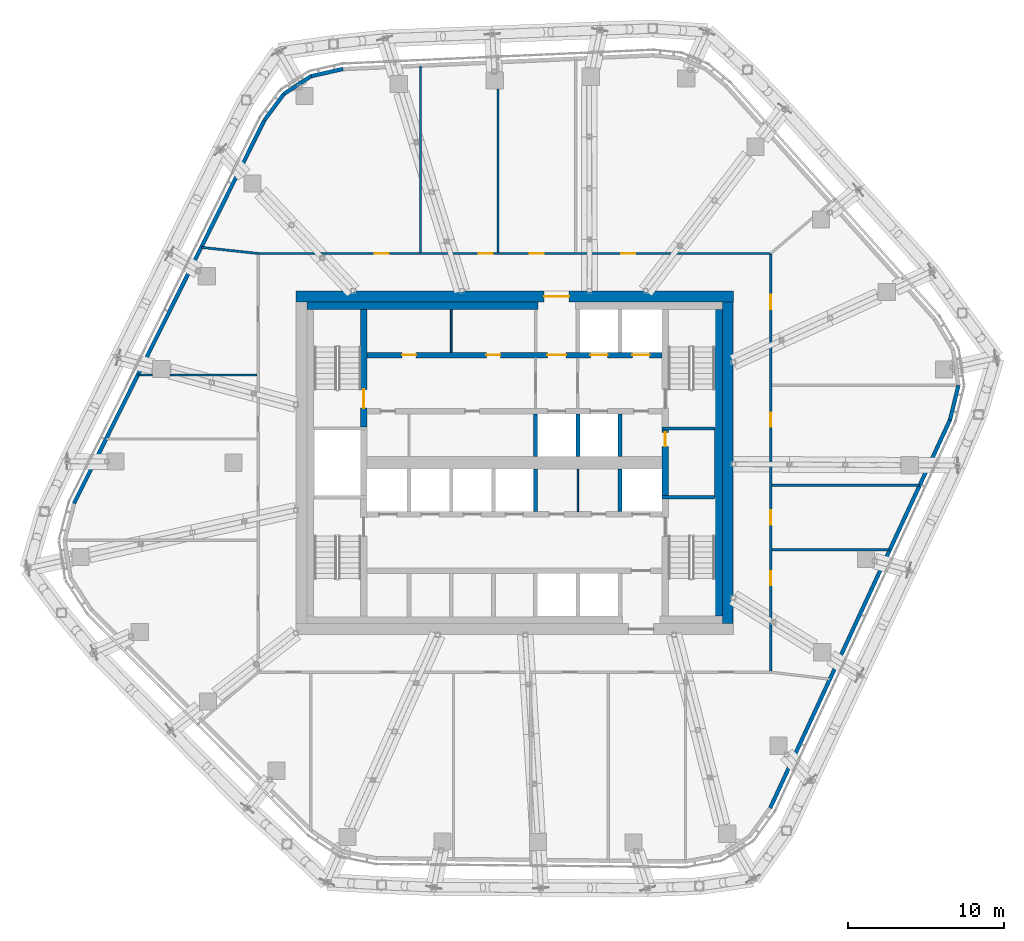
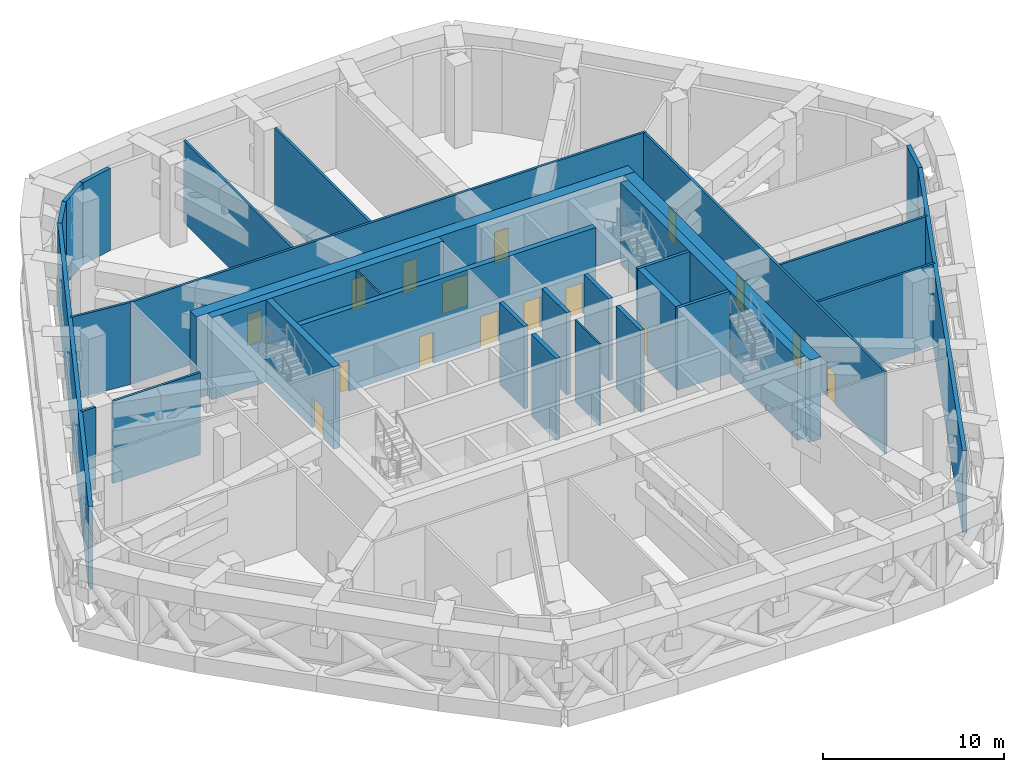
# One storey, part 17 of 31: 31 walls, 16 doors, 16 openings.
"""IFC4 building model written with IfcOpenShell, lengths in metres."""

import ifcopenshell
import ifcopenshell.guid

model = None  # the IFC model being written
_history = None  # IfcOwnerHistory: only IFC2X3 demands one
_inside = {}  # id of a spatial element -> (the spatial element, [elements in it])
_under = {}  # id of a project, library or spatial element -> (it, [spatial elements below it])
_declared = {}  # id of a project -> (the project, [libraries it declares])
_typed = {}  # id of a type object -> (the type object, [elements of that type])
_made_of = {}  # id of a material, layer set ... -> (it, [elements and type objects made of it])


def new_model(schema):
    """Start an empty IFC model of exactly this schema.

    Asked for "IFC4X3", IfcOpenShell would pick the latest addendum, in which some entities
    have other attributes; the version numbers below select the first issue.
    IFC2X3 requires an IfcOwnerHistory on every rooted entity: one is made here for all.
    """
    global model, _history
    if schema == "IFC4X3":
        model = ifcopenshell.file(schema_version=(4, 3, 0, 0))
    else:
        model = ifcopenshell.file(schema=schema)
    _inside.clear()
    _under.clear()
    _declared.clear()
    _typed.clear()
    _made_of.clear()
    _history = None
    if model.schema == "IFC2X3":
        org = make("IfcOrganization", Name="unknown")
        user = make(
            "IfcPersonAndOrganization",
            ThePerson=make("IfcPerson", FamilyName="unknown"),
            TheOrganization=org,
        )
        app = make(
            "IfcApplication",
            ApplicationDeveloper=org,
            Version="unknown",
            ApplicationFullName="unknown",
            ApplicationIdentifier="unknown",
        )
        _history = make(
            "IfcOwnerHistory",
            OwningUser=user,
            OwningApplication=app,
            ChangeAction="ADDED",
            CreationDate=0,
        )
    return model


def make(cls, **values):
    """One entity of the class cls with the attributes given. An attribute that is None is left unset."""
    return model.create_entity(
        cls, **{name: value for name, value in values.items() if value is not None}
    )


def rooted(cls, **values):
    """An entity with a GlobalId (a new one), such as an element, a storey or a relation."""
    return make(cls, GlobalId=ifcopenshell.guid.new(), OwnerHistory=_history, **values)


def si_unit(unit_type, name, prefix=None):
    """IfcSIUnit, for example si_unit("LENGTHUNIT", "METRE", prefix="MILLI")."""
    return make("IfcSIUnit", UnitType=unit_type, Prefix=prefix, Name=name)


def assignment(units):
    """IfcUnitAssignment: the units of a project."""
    return None if units is None else make("IfcUnitAssignment", Units=units)


def point(xyz):
    """IfcCartesianPoint."""
    return None if xyz is None else make("IfcCartesianPoint", Coordinates=xyz)


def direction(xyz):
    """IfcDirection."""
    return None if xyz is None else make("IfcDirection", DirectionRatios=xyz)


def frame(location, z_axis=None, x_axis=None):
    """IfcAxis2Placement3D, a coordinate frame: its origin and axes. An axis left out is left unset."""
    return make(
        "IfcAxis2Placement3D",
        Location=point(location),
        Axis=direction(z_axis),
        RefDirection=direction(x_axis),
    )


def frame_2d(location, x_axis=None):
    """IfcAxis2Placement2D, a coordinate frame in the plane: its origin and x axis."""
    return make(
        "IfcAxis2Placement2D", Location=point(location), RefDirection=direction(x_axis)
    )


def origin():
    """The frame at (0, 0, 0) with its axes left unset."""
    return frame((0.0, 0.0, 0.0))


def place(relative_to, where):
    """IfcLocalPlacement: puts the frame where relative to a parent placement (None: the world)."""
    return make(
        "IfcLocalPlacement", PlacementRelTo=relative_to, RelativePlacement=where
    )


def context(
    kind, dimensions, precision=None, world=None, true_north=None, identifier=None
):
    """IfcGeometricRepresentationContext, for example the 3D "Model" context."""
    return make(
        "IfcGeometricRepresentationContext",
        ContextIdentifier=identifier,
        ContextType=kind,
        CoordinateSpaceDimension=dimensions,
        Precision=precision,
        WorldCoordinateSystem=world,
        TrueNorth=true_north,
    )


def subcontext(parent, identifier, kind, view, scale=None):
    """IfcGeometricRepresentationSubContext, for example "Body" below "Model"."""
    return make(
        "IfcGeometricRepresentationSubContext",
        ContextIdentifier=identifier,
        ContextType=kind,
        ParentContext=parent,
        TargetScale=scale,
        TargetView=view,
    )


def project(units=None, contexts=None):
    """IfcProject with its units and contexts."""
    return rooted(
        "IfcProject",
        Name="project",
        RepresentationContexts=contexts,
        UnitsInContext=assignment(units),
    )


def spatial(cls, under=None, at=None, **own):
    """A site, building, storey or space (cls), placed at a placement, below another one or the project."""
    s = rooted(cls, ObjectPlacement=at, **own)
    if under is not None:
        _under.setdefault(under.id(), (under, []))[1].append(s)
    return s


def profile(cls, at=None, kind="AREA", **sizes):
    """A parametric profile (cls). Its sizes go by their IFC names, for example OverallWidth=200.0."""
    return make(cls, ProfileType=kind, Position=at, **sizes)


def rectangle(**sizes):
    """IfcRectangleProfileDef."""
    return profile("IfcRectangleProfileDef", **sizes)


def extrude(swept, where, along, depth):
    """IfcExtrudedAreaSolid: the profile swept, set in the frame where, extruded along a direction by depth."""
    return make(
        "IfcExtrudedAreaSolid",
        SweptArea=swept,
        Position=where,
        ExtrudedDirection=direction(along),
        Depth=depth,
    )


def shape(context_of_items, identifier, shape_type, items):
    """IfcShapeRepresentation: the items that make up one representation, for example the "Body"."""
    return make(
        "IfcShapeRepresentation",
        ContextOfItems=context_of_items,
        RepresentationIdentifier=identifier,
        RepresentationType=shape_type,
        Items=items,
    )


def material(Name=None, Category=None):
    """IfcMaterial."""
    return make("IfcMaterial", Name=Name, Category=Category)


def layer(
    of_material, thickness, ventilated=None, Name=None, Category=None, Priority=None
):
    """IfcMaterialLayer: one layer of a wall or slab, of a material (None: an air gap)."""
    return make(
        "IfcMaterialLayer",
        Material=of_material,
        LayerThickness=thickness,
        IsVentilated=ventilated,
        Name=Name,
        Category=Category,
        Priority=Priority,
    )


def layer_set(layers, Name=None):
    """IfcMaterialLayerSet."""
    return make("IfcMaterialLayerSet", MaterialLayers=layers, LayerSetName=Name)


def made_of(thing, what):
    """Note that an element or type object is made of a material, layer set ...; save() writes the relation."""
    if what is not None:
        _made_of.setdefault(what.id(), (what, []))[1].append(thing)
    return thing


def type_object(cls, material=None, **own):
    """A type object (cls), such as IfcWallType, which elements share."""
    return made_of(rooted(cls, **own), material)


def element(
    cls,
    number,
    at=None,
    inside=None,
    cuts=None,
    type_object=None,
    material=None,
    context=None,
    identifier="Body",
    shape_type=None,
    held_by="IfcProductDefinitionShape",
    body=None,
    shapes=None,
    **own,
):
    """One element of the class cls, such as IfcWall. Its Tag is "e" and its number.

    at: its placement. inside: the storey or other place that contains it. cuts: it is an
    opening in that element (IfcRelVoidsElement). A single representation is given by context,
    identifier, shape_type and body (its items); several are given by shapes. held_by: the class
    of the entity that holds the representations. save() writes the other relations.
    """
    e = rooted(cls, Tag="e%d" % number, ObjectPlacement=at, **own)
    if body is not None:
        shapes = [shape(context, identifier, shape_type, body)]
    if shapes is not None:
        e.Representation = make(held_by, Representations=shapes)
    if inside is not None:
        _inside.setdefault(inside.id(), (inside, []))[1].append(e)
    if cuts is not None:
        rooted(
            "IfcRelVoidsElement", RelatingBuildingElement=cuts, RelatedOpeningElement=e
        )
    if type_object is not None:
        _typed.setdefault(type_object.id(), (type_object, []))[1].append(e)
    return made_of(e, material)


def fill(opening, filler):
    """IfcRelFillsElement: the door or window that sits in an opening."""
    return rooted(
        "IfcRelFillsElement",
        RelatingOpeningElement=opening,
        RelatedBuildingElement=filler,
    )


def aggregate(whole, parts):
    """IfcRelAggregates: a whole, such as a stair, and the parts it consists of."""
    return rooted("IfcRelAggregates", RelatingObject=whole, RelatedObjects=parts)


def save(model, path):
    """Write the relations noted so far, then the file.

    IfcRelAggregates (storeys below a building ...), IfcRelContainedInSpatialStructure (elements
    in a storey), IfcRelDefinesByType, IfcRelAssociatesMaterial and IfcRelDeclares: one each for
    every whole, place, type object, material and project.
    """
    for whole, parts in _under.values():
        aggregate(whole, parts)
    for where, things in _inside.values():
        rooted(
            "IfcRelContainedInSpatialStructure",
            RelatedElements=things,
            RelatingStructure=where,
        )
    for kind, things in _typed.values():
        rooted("IfcRelDefinesByType", RelatedObjects=things, RelatingType=kind)
    for what, things in _made_of.values():
        rooted("IfcRelAssociatesMaterial", RelatedObjects=things, RelatingMaterial=what)
    for by, libraries in _declared.values():
        rooted("IfcRelDeclares", RelatingContext=by, RelatedDefinitions=libraries)
    model.write(path)


model = new_model("IFC4")

# Units and contexts
model_context = context("Model", 3, precision=1e-05, world=origin(), true_north=direction((0.0, 1.0)))
body_context = subcontext(model_context, "Body", "Model", "MODEL_VIEW")
ifc_project = project(units=[si_unit("LENGTHUNIT", "METRE"), si_unit("AREAUNIT", "SQUARE_METRE"), si_unit("VOLUMEUNIT", "CUBIC_METRE"), si_unit("PLANEANGLEUNIT", "RADIAN"), si_unit("MASSUNIT", "GRAM", prefix="KILO")], contexts=[model_context])

# Site, building, storey
site_placement = place(None, origin())
site = spatial("IfcSite", under=ifc_project, at=site_placement, CompositionType="ELEMENT")
building_placement = place(site_placement, origin())
building = spatial("IfcBuilding", under=site, at=building_placement, Name="Dongbaek Canopy Tower", CompositionType="ELEMENT")
storey_placement = place(building_placement, frame((0.0, 0.0, 283.199951171875)))
storey = spatial("IfcBuildingStorey", under=building, at=storey_placement, Name="L60", CompositionType="ELEMENT", Elevation=283.199951171875)

# Wall, openings, doors
ifc_material_1 = material(Name="Concrete C60/75", Category="concrete")
ifc_layer_1 = layer(ifc_material_1, 0.35009765625)
ifc_layer_set_1 = layer_set([ifc_layer_1], Name="Core lobby wall 350 Concrete C60/75")
wall_type_1 = type_object("IfcWallType", Name="Core lobby wall 350 Concrete C60/75", PredefinedType="SHEAR", material=ifc_layer_set_1)
wall_1_placement = place(storey_placement, frame((-9.449951171875, 6.89990234375, 0.0), z_axis=(0.0, 0.0, 1.0), x_axis=(1.0, 0.0, 0.0)))
wall_1 = element("IfcWall", 1, at=wall_1_placement, inside=storey, type_object=wall_type_1, Name="Core wall", PredefinedType="SHEAR", context=body_context, shape_type="SweptSolid", body=[
    extrude(rectangle(XDim=18.89990234375, YDim=0.35009765625, at=frame_2d((9.449951171875, 0.0))), origin(), (0.0, 0.0, 1.0), 5.550048828125),
])
opening_1_placement = place(wall_1_placement, frame((11.550048828125, 0.0, 0.0)))
opening_1 = element("IfcOpeningElement", 2, at=opening_1_placement, cuts=wall_1, Name="Opening L60-D021", PredefinedType="OPENING", context=body_context, shape_type="SweptSolid", body=[
    extrude(rectangle(XDim=1.199951171875, YDim=2.10009765625, at=frame_2d((0.60009765625, 1.050048828125))), frame((0.0, 0.18505859375, 0.0), z_axis=(0.0, -1.0, 0.0), x_axis=(1.0, 0.0, 0.0)), (0.0, 0.0, 1.0), 0.3701171875),
])
opening_2_placement = place(wall_1_placement, frame((14.300048828125, 0.0, 0.0)))
opening_2 = element("IfcOpeningElement", 3, at=opening_2_placement, cuts=wall_1, Name="Opening L60-D022", PredefinedType="OPENING", context=body_context, shape_type="SweptSolid", body=[
    extrude(rectangle(XDim=1.10009765625, YDim=2.10009765625, at=frame_2d((0.550048828125, 1.050048828125))), frame((0.0, 0.18505859375, 0.0), z_axis=(0.0, -1.0, 0.0), x_axis=(1.0, 0.0, 0.0)), (0.0, 0.0, 1.0), 0.3701171875),
])
opening_3_placement = place(wall_1_placement, frame((17.0, 0.0, 0.0)))
opening_3 = element("IfcOpeningElement", 4, at=opening_3_placement, cuts=wall_1, Name="Opening L60-D023", PredefinedType="OPENING", context=body_context, shape_type="SweptSolid", body=[
    extrude(rectangle(XDim=1.10009765625, YDim=2.10009765625, at=frame_2d((0.550048828125, 1.050048828125))), frame((0.0, 0.18505859375, 0.0), z_axis=(0.0, -1.0, 0.0), x_axis=(1.0, 0.0, 0.0)), (0.0, 0.0, 1.0), 0.3701171875),
])
opening_4_placement = place(wall_1_placement, frame((2.25, 0.0, 0.0)))
opening_4 = element("IfcOpeningElement", 5, at=opening_4_placement, cuts=wall_1, Name="Opening L60-D034", PredefinedType="OPENING", context=body_context, shape_type="SweptSolid", body=[
    extrude(rectangle(XDim=0.89990234375, YDim=2.10009765625, at=frame_2d((0.449951171875, 1.050048828125))), frame((0.0, 0.18505859375, 0.0), z_axis=(0.0, -1.0, 0.0), x_axis=(1.0, 0.0, 0.0)), (0.0, 0.0, 1.0), 0.3701171875),
])
opening_5_placement = place(wall_1_placement, frame((7.64990234375, 0.0, 0.0)))
opening_5 = element("IfcOpeningElement", 6, at=opening_5_placement, cuts=wall_1, Name="Opening L60-D035", PredefinedType="OPENING", context=body_context, shape_type="SweptSolid", body=[
    extrude(rectangle(XDim=0.89990234375, YDim=2.10009765625, at=frame_2d((0.449951171875, 1.050048828125))), frame((0.0, 0.18505859375, 0.0), z_axis=(0.0, -1.0, 0.0), x_axis=(1.0, 0.0, 0.0)), (0.0, 0.0, 1.0), 0.3701171875),
])
ifc_material_2 = material(Name="Steel", Category="steel")
door_type_1 = type_object("IfcDoorType", Name="Core room door 900 x 2100", OperationType="SINGLE_SWING_LEFT", PredefinedType="DOOR", material=ifc_material_2)
door_1_placement = place(opening_4_placement, origin())
door_1 = element("IfcDoor", 7, at=door_1_placement, inside=storey, type_object=door_type_1, Name="Door L60-D034", OperationType="SINGLE_SWING_RIGHT", OverallHeight=2.10009765625, OverallWidth=0.89990234375, PredefinedType="DOOR", context=body_context, shape_type="SweptSolid", body=[
    extrude(rectangle(XDim=0.89990234375, YDim=2.10009765625, at=frame_2d((0.449951171875, 1.050048828125))), frame((0.0, 0.02490234375, 0.0), z_axis=(0.0, -1.0, 0.0), x_axis=(1.0, 0.0, 0.0)), (0.0, 0.0, 1.0), 0.050048828125),
])
fill(opening_4, door_1)
door_2_placement = place(opening_5_placement, origin())
door_2 = element("IfcDoor", 8, at=door_2_placement, inside=storey, type_object=door_type_1, Name="Door L60-D035", OperationType="SINGLE_SWING_LEFT", OverallHeight=2.10009765625, OverallWidth=0.89990234375, PredefinedType="DOOR", context=body_context, shape_type="SweptSolid", body=[
    extrude(rectangle(XDim=0.89990234375, YDim=2.10009765625, at=frame_2d((0.449951171875, 1.050048828125))), frame((0.0, 0.02490234375, 0.0), z_axis=(0.0, -1.0, 0.0), x_axis=(1.0, 0.0, 0.0)), (0.0, 0.0, 1.0), 0.050048828125),
])
fill(opening_5, door_2)
ifc_material_3 = material(Name="Steel", Category="steel")
door_type_2 = type_object("IfcDoorType", Name="Fire lobby door 1200 x 2100", OperationType="SINGLE_SWING_LEFT", PredefinedType="DOOR", material=ifc_material_3)
door_3_placement = place(opening_1_placement, origin())
door_3 = element("IfcDoor", 9, at=door_3_placement, inside=storey, type_object=door_type_2, Name="Door L60-D021", OperationType="SINGLE_SWING_LEFT", OverallHeight=2.10009765625, OverallWidth=1.199951171875, PredefinedType="DOOR", context=body_context, shape_type="SweptSolid", body=[
    extrude(rectangle(XDim=1.199951171875, YDim=2.10009765625, at=frame_2d((0.60009765625, 1.050048828125))), frame((0.0, 0.02490234375, 0.0), z_axis=(0.0, -1.0, 0.0), x_axis=(1.0, 0.0, 0.0)), (0.0, 0.0, 1.0), 0.050048828125),
])
fill(opening_1, door_3)
ifc_material_4 = material(Name="Stainless steel", Category="steel")
door_type_3 = type_object("IfcDoorType", Name="Lift landing door 1100 x 2100", OperationType="DOUBLE_DOOR_SLIDING", PredefinedType="DOOR", material=ifc_material_4)
door_4_placement = place(opening_2_placement, origin())
door_4 = element("IfcDoor", 10, at=door_4_placement, inside=storey, type_object=door_type_3, Name="Landing door FF1", OperationType="DOUBLE_DOOR_SLIDING", OverallHeight=2.10009765625, OverallWidth=1.10009765625, PredefinedType="DOOR", context=body_context, shape_type="SweptSolid", body=[
    extrude(rectangle(XDim=1.10009765625, YDim=2.10009765625, at=frame_2d((0.550048828125, 1.050048828125))), frame((0.0, 0.02490234375, 0.0), z_axis=(0.0, -1.0, 0.0), x_axis=(1.0, 0.0, 0.0)), (0.0, 0.0, 1.0), 0.050048828125),
])
fill(opening_2, door_4)
door_5_placement = place(opening_3_placement, origin())
door_5 = element("IfcDoor", 11, at=door_5_placement, inside=storey, type_object=door_type_3, Name="Landing door FF2", OperationType="DOUBLE_DOOR_SLIDING", OverallHeight=2.10009765625, OverallWidth=1.10009765625, PredefinedType="DOOR", context=body_context, shape_type="SweptSolid", body=[
    extrude(rectangle(XDim=1.10009765625, YDim=2.10009765625, at=frame_2d((0.550048828125, 1.050048828125))), frame((0.0, 0.02490234375, 0.0), z_axis=(0.0, -1.0, 0.0), x_axis=(1.0, 0.0, 0.0)), (0.0, 0.0, 1.0), 0.050048828125),
])
fill(opening_3, door_5)

# Wall, opening, door
ifc_material_5 = material(Name="Concrete C70/85", Category="concrete")
ifc_layer_2 = layer(ifc_material_5, 0.699951171875)
ifc_layer_set_2 = layer_set([ifc_layer_2], Name="Core outer wall 700 Concrete C70/85")
wall_type_2 = type_object("IfcWallType", Name="Core outer wall 700 Concrete C70/85", PredefinedType="SHEAR", material=ifc_layer_set_2)
wall_2_placement = place(storey_placement, frame((-14.0, 10.64990234375, 0.0), z_axis=(0.0, 0.0, 1.0), x_axis=(1.0, 0.0, 0.0)))
wall_2 = element("IfcWall", 12, at=wall_2_placement, inside=storey, type_object=wall_type_2, Name="Core wall", PredefinedType="SHEAR", context=body_context, shape_type="SweptSolid", body=[
    extrude(rectangle(XDim=28.0, YDim=0.699951171875, at=frame_2d((14.0, 0.0))), origin(), (0.0, 0.0, 1.0), 5.550048828125),
])
opening_6_placement = place(wall_2_placement, frame((15.89990234375, 0.0, 0.0)))
opening_6 = element("IfcOpeningElement", 13, at=opening_6_placement, cuts=wall_2, Name="Opening L60-D020", PredefinedType="OPENING", context=body_context, shape_type="SweptSolid", body=[
    extrude(rectangle(XDim=1.60009765625, YDim=2.10009765625, at=frame_2d((0.800048828125, 1.050048828125))), frame((0.0, 0.35986328125, 0.0), z_axis=(0.0, -1.0, 0.0), x_axis=(1.0, 0.0, 0.0)), (0.0, 0.0, 1.0), 0.719970703125),
])
ifc_material_6 = material(Name="Steel", Category="steel")
door_type_4 = type_object("IfcDoorType", Name="Core exit door 1600 x 2100", OperationType="DOUBLE_DOOR_SINGLE_SWING", PredefinedType="DOOR", material=ifc_material_6)
door_6_placement = place(opening_6_placement, origin())
door_6 = element("IfcDoor", 14, at=door_6_placement, inside=storey, type_object=door_type_4, Name="Core exit door", OperationType="DOUBLE_DOOR_SINGLE_SWING", OverallHeight=2.10009765625, OverallWidth=1.60009765625, PredefinedType="DOOR", context=body_context, shape_type="SweptSolid", body=[
    extrude(rectangle(XDim=1.60009765625, YDim=2.10009765625, at=frame_2d((0.800048828125, 1.050048828125))), frame((0.0, 0.02490234375, 0.0), z_axis=(0.0, -1.0, 0.0), x_axis=(1.0, 0.0, 0.0)), (0.0, 0.0, 1.0), 0.050048828125),
])
fill(opening_6, door_6)

# Walls
wall_3_placement = place(storey_placement, frame((13.64990234375, 10.300048828125, 0.0), z_axis=(0.0, 0.0, 1.0), x_axis=(0.0, -1.0, 0.0)))
element("IfcWall", 15, at=wall_3_placement, inside=storey, type_object=wall_type_2, Name="Core wall", PredefinedType="SHEAR", context=body_context, shape_type="SweptSolid", body=[
    extrude(rectangle(XDim=20.60009765625, YDim=0.699951171875, at=frame_2d((10.300048828125, 0.0))), origin(), (0.0, 0.0, 1.0), 5.550048828125),
])
ifc_material_7 = material(Name="Concrete C60/75", Category="concrete")
ifc_layer_3 = layer(ifc_material_7, 0.5)
ifc_layer_set_3 = layer_set([ifc_layer_3], Name="Core wall lining 500 Concrete C60/75")
wall_type_3 = type_object("IfcWallType", Name="Core wall lining 500 Concrete C60/75", PredefinedType="SHEAR", material=ifc_layer_set_3)
wall_4_placement = place(storey_placement, frame((-13.300048828125, 10.050048828125, 0.0), z_axis=(0.0, 0.0, 1.0), x_axis=(1.0, 0.0, 0.0)))
element("IfcWall", 16, at=wall_4_placement, inside=storey, type_object=wall_type_3, Name="Core wall lining", PredefinedType="SHEAR", context=body_context, shape_type="SweptSolid", body=[
    extrude(rectangle(XDim=14.800048828125, YDim=0.5, at=frame_2d((7.39990234375, 0.0))), origin(), (0.0, 0.0, 1.0), 5.550048828125),
])
wall_5_placement = place(storey_placement, frame((13.050048828125, 9.800048828125, 0.0), z_axis=(0.0, 0.0, 1.0), x_axis=(0.0, -1.0, 0.0)))
element("IfcWall", 17, at=wall_5_placement, inside=storey, type_object=wall_type_3, Name="Core wall lining", PredefinedType="SHEAR", context=body_context, shape_type="SweptSolid", body=[
    extrude(rectangle(XDim=19.60009765625, YDim=0.5, at=frame_2d((9.800048828125, 0.0))), origin(), (0.0, 0.0, 1.0), 5.550048828125),
])
ifc_material_8 = material(Name="Gypsum board partition, steel stud, 2 x 15 mm fire board", Category="steel")
ifc_layer_4 = layer(ifc_material_8, 0.14990234375)
ifc_layer_set_4 = layer_set([ifc_layer_4], Name="Fire-rated partition 150 gypsum board")
wall_type_4 = type_object("IfcWallType", Name="Fire-rated partition 150 gypsum board", PredefinedType="PARTITIONING", material=ifc_layer_set_4)
wall_6_placement = place(storey_placement, frame((16.47509765625, -5.572998046875, 0.0), z_axis=(0.0, 0.0, 1.0), x_axis=(1.0, 0.0, 0.0)))
element("IfcWall", 18, at=wall_6_placement, inside=storey, type_object=wall_type_4, Name="Corridor partition", PredefinedType="PARTITIONING", context=body_context, shape_type="SweptSolid", body=[
    extrude(rectangle(XDim=7.526611328125, YDim=0.14990234375, at=frame_2d((3.76318359375, 0.0))), origin(), (0.0, 0.0, 1.0), 5.550048828125),
])
wall_7_placement = place(storey_placement, frame((16.47509765625, -1.427978515625, 0.0), z_axis=(0.0, 0.0, 1.0), x_axis=(1.0, 0.0, 0.0)))
element("IfcWall", 19, at=wall_7_placement, inside=storey, type_object=wall_type_4, Name="Corridor partition", PredefinedType="PARTITIONING", context=body_context, shape_type="SweptSolid", body=[
    extrude(rectangle(XDim=9.44677734375, YDim=0.14990234375, at=frame_2d((4.723388671875, 0.0))), origin(), (0.0, 0.0, 1.0), 5.550048828125),
])
wall_8_placement = place(storey_placement, frame((-24.099365234375, 5.617919921875, 0.0), z_axis=(0.0, 0.0, 1.0), x_axis=(1.0, 0.0, 0.0)))
element("IfcWall", 20, at=wall_8_placement, inside=storey, type_object=wall_type_4, Name="Corridor partition", PredefinedType="PARTITIONING", context=body_context, shape_type="SweptSolid", body=[
    extrude(rectangle(XDim=0.928466796875, YDim=0.14990234375, at=frame_2d((0.46435546875, 0.0))), origin(), (0.0, 0.0, 1.0), 5.550048828125),
])
wall_9_placement = place(storey_placement, frame((-22.071044921875, 5.617919921875, 0.0), z_axis=(0.0, 0.0, 1.0), x_axis=(1.0, 0.0, 0.0)))
element("IfcWall", 21, at=wall_9_placement, inside=storey, type_object=wall_type_4, Name="Corridor partition", PredefinedType="PARTITIONING", context=body_context, shape_type="SweptSolid", body=[
    extrude(rectangle(XDim=5.595947265625, YDim=0.14990234375, at=frame_2d((2.7978515625, 0.0))), origin(), (0.0, 0.0, 1.0), 5.550048828125),
])

# Wall, openings, doors
wall_10_placement = place(storey_placement, frame((-16.47509765625, 13.39990234375, 0.0), z_axis=(0.0, 0.0, 1.0), x_axis=(1.0, 0.0, 0.0)))
wall_10 = element("IfcWall", 22, at=wall_10_placement, inside=storey, type_object=wall_type_4, Name="Corridor partition", PredefinedType="PARTITIONING", context=body_context, shape_type="SweptSolid", body=[
    extrude(rectangle(XDim=32.9501953125, YDim=0.14990234375, at=frame_2d((16.47509765625, 0.0))), origin(), (0.0, 0.0, 1.0), 5.550048828125),
])
opening_7_placement = place(wall_10_placement, frame((23.29736328125, 0.0, 0.0)))
opening_7 = element("IfcOpeningElement", 23, at=opening_7_placement, cuts=wall_10, Name="Opening L60-D013", PredefinedType="OPENING", context=body_context, shape_type="SweptSolid", body=[
    extrude(rectangle(XDim=0.89990234375, YDim=2.10009765625, at=frame_2d((0.449951171875, 1.050048828125))), frame((0.0, 0.0849609375, 0.0), z_axis=(0.0, -1.0, 0.0), x_axis=(1.0, 0.0, 0.0)), (0.0, 0.0, 1.0), 0.169921875),
])
opening_8_placement = place(wall_10_placement, frame((17.4521484375, 0.0, 0.0)))
opening_8 = element("IfcOpeningElement", 24, at=opening_8_placement, cuts=wall_10, Name="Opening L60-D014", PredefinedType="OPENING", context=body_context, shape_type="SweptSolid", body=[
    extrude(rectangle(XDim=0.89990234375, YDim=2.10009765625, at=frame_2d((0.449951171875, 1.050048828125))), frame((0.0, 0.0849609375, 0.0), z_axis=(0.0, -1.0, 0.0), x_axis=(1.0, 0.0, 0.0)), (0.0, 0.0, 1.0), 0.169921875),
])
opening_9_placement = place(wall_10_placement, frame((14.17919921875, 0.0, 0.0)))
opening_9 = element("IfcOpeningElement", 25, at=opening_9_placement, cuts=wall_10, Name="Opening L60-D015", PredefinedType="OPENING", context=body_context, shape_type="SweptSolid", body=[
    extrude(rectangle(XDim=0.89990234375, YDim=2.10009765625, at=frame_2d((0.449951171875, 1.050048828125))), frame((0.0, 0.0849609375, 0.0), z_axis=(0.0, -1.0, 0.0), x_axis=(1.0, 0.0, 0.0)), (0.0, 0.0, 1.0), 0.169921875),
])
opening_10_placement = place(wall_10_placement, frame((7.516845703125, 0.0, 0.0)))
opening_10 = element("IfcOpeningElement", 26, at=opening_10_placement, cuts=wall_10, Name="Opening L60-D016", PredefinedType="OPENING", context=body_context, shape_type="SweptSolid", body=[
    extrude(rectangle(XDim=0.89990234375, YDim=2.10009765625, at=frame_2d((0.449951171875, 1.050048828125))), frame((0.0, 0.0849609375, 0.0), z_axis=(0.0, -1.0, 0.0), x_axis=(1.0, 0.0, 0.0)), (0.0, 0.0, 1.0), 0.169921875),
])
ifc_material_9 = material(Name="Timber veneered door leaf", Category="wood")
door_type_5 = type_object("IfcDoorType", Name="Room door 900 x 2100", OperationType="SINGLE_SWING_LEFT", PredefinedType="DOOR", material=ifc_material_9)
door_7_placement = place(opening_7_placement, origin())
door_7 = element("IfcDoor", 27, at=door_7_placement, inside=storey, type_object=door_type_5, Name="Door L60-D013", OperationType="SINGLE_SWING_RIGHT", OverallHeight=2.10009765625, OverallWidth=0.89990234375, PredefinedType="DOOR", context=body_context, shape_type="SweptSolid", body=[
    extrude(rectangle(XDim=0.89990234375, YDim=2.10009765625, at=frame_2d((0.449951171875, 1.050048828125))), frame((0.0, 0.02490234375, 0.0), z_axis=(0.0, -1.0, 0.0), x_axis=(1.0, 0.0, 0.0)), (0.0, 0.0, 1.0), 0.050048828125),
])
fill(opening_7, door_7)
door_8_placement = place(opening_8_placement, origin())
door_8 = element("IfcDoor", 28, at=door_8_placement, inside=storey, type_object=door_type_5, Name="Door L60-D014", OperationType="SINGLE_SWING_LEFT", OverallHeight=2.10009765625, OverallWidth=0.89990234375, PredefinedType="DOOR", context=body_context, shape_type="SweptSolid", body=[
    extrude(rectangle(XDim=0.89990234375, YDim=2.10009765625, at=frame_2d((0.449951171875, 1.050048828125))), frame((0.0, 0.02490234375, 0.0), z_axis=(0.0, -1.0, 0.0), x_axis=(1.0, 0.0, 0.0)), (0.0, 0.0, 1.0), 0.050048828125),
])
fill(opening_8, door_8)
door_9_placement = place(opening_9_placement, origin())
door_9 = element("IfcDoor", 29, at=door_9_placement, inside=storey, type_object=door_type_5, Name="Door L60-D015", OperationType="SINGLE_SWING_RIGHT", OverallHeight=2.10009765625, OverallWidth=0.89990234375, PredefinedType="DOOR", context=body_context, shape_type="SweptSolid", body=[
    extrude(rectangle(XDim=0.89990234375, YDim=2.10009765625, at=frame_2d((0.449951171875, 1.050048828125))), frame((0.0, 0.02490234375, 0.0), z_axis=(0.0, -1.0, 0.0), x_axis=(1.0, 0.0, 0.0)), (0.0, 0.0, 1.0), 0.050048828125),
])
fill(opening_9, door_9)
door_10_placement = place(opening_10_placement, origin())
door_10 = element("IfcDoor", 30, at=door_10_placement, inside=storey, type_object=door_type_5, Name="Door L60-D016", OperationType="SINGLE_SWING_LEFT", OverallHeight=2.10009765625, OverallWidth=0.89990234375, PredefinedType="DOOR", context=body_context, shape_type="SweptSolid", body=[
    extrude(rectangle(XDim=0.89990234375, YDim=2.10009765625, at=frame_2d((0.449951171875, 1.050048828125))), frame((0.0, 0.02490234375, 0.0), z_axis=(0.0, -1.0, 0.0), x_axis=(1.0, 0.0, 0.0)), (0.0, 0.0, 1.0), 0.050048828125),
])
fill(opening_10, door_10)

wall_11_placement = place(storey_placement, frame((16.39990234375, 13.324951171875, 0.0), z_axis=(0.0, 0.0, 1.0), x_axis=(0.0, -1.0, 0.0)))
wall_11 = element("IfcWall", 31, at=wall_11_placement, inside=storey, type_object=wall_type_4, Name="Corridor partition", PredefinedType="PARTITIONING", context=body_context, shape_type="SweptSolid", body=[
    extrude(rectangle(XDim=26.64990234375, YDim=0.14990234375, at=frame_2d((13.324951171875, 0.0))), origin(), (0.0, 0.0, 1.0), 5.550048828125),
])
opening_11_placement = place(wall_11_placement, frame((20.27294921875, 0.0, 0.0)))
opening_11 = element("IfcOpeningElement", 32, at=opening_11_placement, cuts=wall_11, Name="Opening L60-D009", PredefinedType="OPENING", context=body_context, shape_type="SweptSolid", body=[
    extrude(rectangle(XDim=0.89990234375, YDim=2.10009765625, at=frame_2d((0.449951171875, 1.050048828125))), frame((0.0, 0.0849609375, 0.0), z_axis=(0.0, -1.0, 0.0), x_axis=(1.0, 0.0, 0.0)), (0.0, 0.0, 1.0), 0.169921875),
])
opening_12_placement = place(wall_11_placement, frame((16.37548828125, 0.0, 0.0)))
opening_12 = element("IfcOpeningElement", 33, at=opening_12_placement, cuts=wall_11, Name="Opening L60-D010", PredefinedType="OPENING", context=body_context, shape_type="SweptSolid", body=[
    extrude(rectangle(XDim=0.89990234375, YDim=2.10009765625, at=frame_2d((0.449951171875, 1.050048828125))), frame((0.0, 0.0849609375, 0.0), z_axis=(0.0, -1.0, 0.0), x_axis=(1.0, 0.0, 0.0)), (0.0, 0.0, 1.0), 0.169921875),
])
opening_13_placement = place(wall_11_placement, frame((10.1083984375, 0.0, 0.0)))
opening_13 = element("IfcOpeningElement", 34, at=opening_13_placement, cuts=wall_11, Name="Opening L60-D011", PredefinedType="OPENING", context=body_context, shape_type="SweptSolid", body=[
    extrude(rectangle(XDim=0.89990234375, YDim=2.10009765625, at=frame_2d((0.449951171875, 1.050048828125))), frame((0.0, 0.0849609375, 0.0), z_axis=(0.0, -1.0, 0.0), x_axis=(1.0, 0.0, 0.0)), (0.0, 0.0, 1.0), 0.169921875),
])
opening_14_placement = place(wall_11_placement, frame((2.5791015625, 0.0, 0.0)))
opening_14 = element("IfcOpeningElement", 35, at=opening_14_placement, cuts=wall_11, Name="Opening L60-D012", PredefinedType="OPENING", context=body_context, shape_type="SweptSolid", body=[
    extrude(rectangle(XDim=0.89990234375, YDim=2.10009765625, at=frame_2d((0.449951171875, 1.050048828125))), frame((0.0, 0.0849609375, 0.0), z_axis=(0.0, -1.0, 0.0), x_axis=(1.0, 0.0, 0.0)), (0.0, 0.0, 1.0), 0.169921875),
])
door_11_placement = place(opening_11_placement, origin())
door_11 = element("IfcDoor", 36, at=door_11_placement, inside=storey, type_object=door_type_5, Name="Door L60-D009", OperationType="SINGLE_SWING_RIGHT", OverallHeight=2.10009765625, OverallWidth=0.89990234375, PredefinedType="DOOR", context=body_context, shape_type="SweptSolid", body=[
    extrude(rectangle(XDim=0.89990234375, YDim=2.10009765625, at=frame_2d((0.449951171875, 1.050048828125))), frame((0.0, 0.02490234375, 0.0), z_axis=(0.0, -1.0, 0.0), x_axis=(1.0, 0.0, 0.0)), (0.0, 0.0, 1.0), 0.050048828125),
])
fill(opening_11, door_11)
door_12_placement = place(opening_13_placement, origin())
door_12 = element("IfcDoor", 37, at=door_12_placement, inside=storey, type_object=door_type_5, Name="Door L60-D011", OperationType="SINGLE_SWING_RIGHT", OverallHeight=2.10009765625, OverallWidth=0.89990234375, PredefinedType="DOOR", context=body_context, shape_type="SweptSolid", body=[
    extrude(rectangle(XDim=0.89990234375, YDim=2.10009765625, at=frame_2d((0.449951171875, 1.050048828125))), frame((0.0, 0.02490234375, 0.0), z_axis=(0.0, -1.0, 0.0), x_axis=(1.0, 0.0, 0.0)), (0.0, 0.0, 1.0), 0.050048828125),
])
fill(opening_13, door_12)
door_13_placement = place(opening_14_placement, origin())
door_13 = element("IfcDoor", 38, at=door_13_placement, inside=storey, type_object=door_type_5, Name="Door L60-D012", OperationType="SINGLE_SWING_LEFT", OverallHeight=2.10009765625, OverallWidth=0.89990234375, PredefinedType="DOOR", context=body_context, shape_type="SweptSolid", body=[
    extrude(rectangle(XDim=0.89990234375, YDim=2.10009765625, at=frame_2d((0.449951171875, 1.050048828125))), frame((0.0, 0.02490234375, 0.0), z_axis=(0.0, -1.0, 0.0), x_axis=(1.0, 0.0, 0.0)), (0.0, 0.0, 1.0), 0.050048828125),
])
fill(opening_14, door_13)
ifc_material_10 = material(Name="Timber veneered door leaf", Category="wood")
door_type_6 = type_object("IfcDoorType", Name="Store door 900 x 2100", OperationType="SINGLE_SWING_LEFT", PredefinedType="DOOR", material=ifc_material_10)
door_14_placement = place(opening_12_placement, origin())
door_14 = element("IfcDoor", 39, at=door_14_placement, inside=storey, type_object=door_type_6, Name="Door L60-D010", OperationType="SINGLE_SWING_LEFT", OverallHeight=2.10009765625, OverallWidth=0.89990234375, PredefinedType="DOOR", context=body_context, shape_type="SweptSolid", body=[
    extrude(rectangle(XDim=0.89990234375, YDim=2.10009765625, at=frame_2d((0.449951171875, 1.050048828125))), frame((0.0, 0.02490234375, 0.0), z_axis=(0.0, -1.0, 0.0), x_axis=(1.0, 0.0, 0.0)), (0.0, 0.0, 1.0), 0.050048828125),
])
fill(opening_12, door_14)

# Walls
wall_12_placement = place(storey_placement, frame((-1.056884765625, 13.47509765625, 0.0), z_axis=(0.0, 0.0, 1.0), x_axis=(0.0, 1.0, 0.0)))
element("IfcWall", 40, at=wall_12_placement, inside=storey, type_object=wall_type_4, Name="Corridor partition", PredefinedType="PARTITIONING", context=body_context, shape_type="SweptSolid", body=[
    extrude(rectangle(XDim=10.453857421875, YDim=0.14990234375, at=frame_2d((5.22705078125, 0.0))), origin(), (0.0, 0.0, 1.0), 5.550048828125),
])
wall_13_placement = place(storey_placement, frame((-6.02392578125, 13.47509765625, 0.0), z_axis=(0.0, 0.0, 1.0), x_axis=(0.0, 1.0, 0.0)))
element("IfcWall", 41, at=wall_13_placement, inside=storey, type_object=wall_type_4, Name="Corridor partition", PredefinedType="PARTITIONING", context=body_context, shape_type="SweptSolid", body=[
    extrude(rectangle(XDim=11.94091796875, YDim=0.14990234375, at=frame_2d((5.970458984375, 0.0))), origin(), (0.0, 0.0, 1.0), 5.550048828125),
])
wall_14_placement = place(storey_placement, frame((-20.038818359375, 13.790771484375, 0.0), z_axis=(0.0, 0.0, 1.0), x_axis=(0.994280601319, -0.106799278277, 0.0)))
element("IfcWall", 42, at=wall_14_placement, inside=storey, type_object=wall_type_4, Name="Corridor partition", PredefinedType="PARTITIONING", context=body_context, shape_type="SweptSolid", body=[
    extrude(rectangle(XDim=3.659912109375, YDim=0.14990234375, at=frame_2d((1.830078125, 0.0))), origin(), (0.0, 0.0, 1.0), 5.550048828125),
])
ifc_material_11 = material(Name="Concrete C40/50", Category="concrete")
ifc_layer_5 = layer(ifc_material_11, 0.25)
ifc_layer_set_5 = layer_set([ifc_layer_5], Name="Lift shaft wall 250 Concrete C40/50")
wall_type_5 = type_object("IfcWallType", Name="Lift shaft wall 250 Concrete C40/50", PredefinedType="SOLIDWALL", material=ifc_layer_set_5)
for number, where, z_axis, x_axis, name in (
    (43, (6.75, -3.125, 0.0), (0.0, 0.0, 1.0), (0.0, 1.0, 0.0), "Lift shaft wall"),
    (44, (6.75, 0.39990234375, 0.0), (0.0, 0.0, 1.0), (0.0, 1.0, 0.0), "Lift shaft wall"),
    (45, (4.050048828125, 0.39990234375, 0.0), (0.0, 0.0, 1.0), (0.0, 1.0, 0.0), "Lift shaft wall"),
    (46, (1.35009765625, -3.125, 0.0), (0.0, 0.0, 1.0), (0.0, 1.0, 0.0), "Lift shaft wall"),
    (47, (1.35009765625, 0.39990234375, 0.0), (0.0, 0.0, 1.0), (0.0, 1.0, 0.0), "Lift shaft wall"),
):
    element("IfcWall", number, at=place(storey_placement, frame(where, z_axis=z_axis, x_axis=x_axis)), inside=storey, type_object=wall_type_5, Name=name, PredefinedType="SOLIDWALL", context=body_context, shape_type="SweptSolid", body=[
        extrude(rectangle(XDim=2.72509765625, YDim=0.25, at=frame_2d((1.362548828125, 0.0))), origin(), (0.0, 0.0, 1.0), 5.550048828125),
    ])
ifc_material_12 = material(Name="Gypsum board partition, steel stud, 2 x 12.5 mm board", Category="steel")
ifc_layer_6 = layer(ifc_material_12, 0.10009765625)
ifc_layer_set_6 = layer_set([ifc_layer_6], Name="Partition 100 gypsum board")
wall_type_6 = type_object("IfcWallType", Name="Partition 100 gypsum board", PredefinedType="PARTITIONING", material=ifc_layer_set_6)
for number, where, z_axis, x_axis, name in (
    (48, (4.050048828125, -3.125, 0.0), (0.0, 0.0, 1.0), (0.0, 1.0, 0.0), "Core partition"),
    (49, (-4.050048828125, 7.074951171875, 0.0), (0.0, 0.0, 1.0), (0.0, 1.0, 0.0), "Core partition"),
):
    element("IfcWall", number, at=place(storey_placement, frame(where, z_axis=z_axis, x_axis=x_axis)), inside=storey, type_object=wall_type_6, Name=name, PredefinedType="PARTITIONING", context=body_context, shape_type="SweptSolid", body=[
        extrude(rectangle(XDim=2.72509765625, YDim=0.10009765625, at=frame_2d((1.362548828125, 0.0))), origin(), (0.0, 0.0, 1.0), 5.550048828125),
    ])
ifc_material_13 = material(Name="Pale metal cladding on insulated wall")
ifc_layer_7 = layer(ifc_material_13, 0.25)
ifc_layer_set_7 = layer_set([ifc_layer_7], Name="Plant floor wall 250")
wall_type_7 = type_object("IfcWallType", Name="Plant floor wall 250", PredefinedType="SOLIDWALL", material=ifc_layer_set_7)
wall_15_placement = place(storey_placement, frame((27.879638671875, 2.751220703125, 0.0), z_axis=(0.0, 0.0, 1.0), x_axis=(0.237500178982, 0.971387494764, 0.0)))
element("IfcWall", 50, at=wall_15_placement, inside=storey, type_object=wall_type_7, Name="Plant wall L60 K0 1", PredefinedType="SOLIDWALL", context=body_context, shape_type="SweptSolid", body=[
    extrude(rectangle(XDim=2.283203125, YDim=0.25, at=frame_2d((1.1416015625, 0.0))), origin(), (0.0, 0.0, 1.0), 5.550048828125),
])
wall_16_placement = place(storey_placement, frame((-10.978515625, 25.215576171875, 0.0), z_axis=(0.0, 0.0, 1.0), x_axis=(-0.975459598357, -0.220178500251, 0.0)))
element("IfcWall", 51, at=wall_16_placement, inside=storey, type_object=wall_type_7, Name="Plant wall L60 K2 1", PredefinedType="SOLIDWALL", context=body_context, shape_type="SweptSolid", body=[
    extrude(rectangle(XDim=2.09228515625, YDim=0.25, at=frame_2d((1.046142578125, 0.0))), origin(), (0.0, 0.0, 1.0), 5.550048828125),
])
wall_17_placement = place(storey_placement, frame((-13.01953125, 24.7548828125, 0.0), z_axis=(0.0, 0.0, 1.0), x_axis=(-0.838111469167, -0.545499005729, 0.0)))
element("IfcWall", 52, at=wall_17_placement, inside=storey, type_object=wall_type_7, Name="Plant wall L60 K2 2", PredefinedType="SOLIDWALL", context=body_context, shape_type="SweptSolid", body=[
    extrude(rectangle(XDim=2.083251953125, YDim=0.25, at=frame_2d((1.04150390625, 0.0))), origin(), (0.0, 0.0, 1.0), 5.550048828125),
])
wall_18_placement = place(storey_placement, frame((-14.765625, 23.618408203125, 0.0), z_axis=(0.0, 0.0, 1.0), x_axis=(-0.596147857174, -0.80287466792, 0.0)))
element("IfcWall", 53, at=wall_18_placement, inside=storey, type_object=wall_type_7, Name="Plant wall L60 K2 3", PredefinedType="SOLIDWALL", context=body_context, shape_type="SweptSolid", body=[
    extrude(rectangle(XDim=2.0927734375, YDim=0.25, at=frame_2d((1.04638671875, 0.0))), origin(), (0.0, 0.0, 1.0), 5.550048828125),
])
wall_19_placement = place(storey_placement, frame((-16.01318359375, 21.938232421875, 0.0), z_axis=(0.0, 0.0, 1.0), x_axis=(-0.444956387573, -0.895552239212, 0.0)))
element("IfcWall", 54, at=wall_19_placement, inside=storey, type_object=wall_type_7, Name="Plant wall L60 F2 1", PredefinedType="SOLIDWALL", context=body_context, shape_type="SweptSolid", body=[
    extrude(rectangle(XDim=27.403564453125, YDim=0.25, at=frame_2d((13.70166015625, 0.0))), origin(), (0.0, 0.0, 1.0), 5.550048828125),
])
wall_20_placement = place(storey_placement, frame((16.3662109375, -22.105224609375, 0.0), z_axis=(0.0, 0.0, 1.0), x_axis=(0.420298344407, 0.907385971728, 0.0)))
element("IfcWall", 55, at=wall_20_placement, inside=storey, type_object=wall_type_7, Name="Plant wall L60 F5 1", PredefinedType="SOLIDWALL", context=body_context, shape_type="SweptSolid", body=[
    extrude(rectangle(XDim=27.3935546875, YDim=0.25, at=frame_2d((13.69677734375, 0.0))), origin(), (0.0, 0.0, 1.0), 5.550048828125),
])
ifc_material_14 = material(Name="Concrete C60/75", Category="concrete")
ifc_layer_8 = layer(ifc_material_14, 0.199951171875)
ifc_layer_set_8 = layer_set([ifc_layer_8], Name="Riser wall 200 Concrete C60/75")
wall_type_8 = type_object("IfcWallType", Name="Riser wall 200 Concrete C60/75", PredefinedType="SHEAR", material=ifc_layer_set_8)
for number, where, z_axis, x_axis, name in (
    (56, (9.449951171875, 2.199951171875, 0.0), (0.0, 0.0, 1.0), (1.0, 0.0, 0.0), "Riser wall"),
    (57, (9.449951171875, -2.199951171875, 0.0), (0.0, 0.0, 1.0), (1.0, 0.0, 0.0), "Riser wall"),
):
    element("IfcWall", number, at=place(storey_placement, frame(where, z_axis=z_axis, x_axis=x_axis)), inside=storey, type_object=wall_type_8, Name=name, PredefinedType="SHEAR", context=body_context, shape_type="SweptSolid", body=[
        extrude(rectangle(XDim=3.35009765625, YDim=0.199951171875, at=frame_2d((1.675048828125, 0.0))), origin(), (0.0, 0.0, 1.0), 5.550048828125),
    ])

# Wall, opening, door
ifc_material_15 = material(Name="Concrete C60/75", Category="concrete")
ifc_layer_9 = layer(ifc_material_15, 0.39990234375)
ifc_layer_set_9 = layer_set([ifc_layer_9], Name="Stair wall 400 Concrete C60/75")
wall_type_9 = type_object("IfcWallType", Name="Stair wall 400 Concrete C60/75", PredefinedType="SHEAR", material=ifc_layer_set_9)
wall_21_placement = place(storey_placement, frame((9.64990234375, 2.10009765625, 0.0), z_axis=(0.0, 0.0, 1.0), x_axis=(0.0, -1.0, 0.0)))
wall_21 = element("IfcWall", 58, at=wall_21_placement, inside=storey, type_object=wall_type_9, Name="Stair wall", PredefinedType="SHEAR", context=body_context, shape_type="SweptSolid", body=[
    extrude(rectangle(XDim=4.2001953125, YDim=0.39990234375, at=frame_2d((2.10009765625, 0.0))), origin(), (0.0, 0.0, 1.0), 5.550048828125),
])
opening_15_placement = place(wall_21_placement, frame((0.14990234375, 0.0, 0.0)))
opening_15 = element("IfcOpeningElement", 59, at=opening_15_placement, cuts=wall_21, Name="Opening L60-D019", PredefinedType="OPENING", context=body_context, shape_type="SweptSolid", body=[
    extrude(rectangle(XDim=0.89990234375, YDim=2.10009765625, at=frame_2d((0.449951171875, 1.050048828125))), frame((0.0, 0.2099609375, 0.0), z_axis=(0.0, -1.0, 0.0), x_axis=(1.0, 0.0, 0.0)), (0.0, 0.0, 1.0), 0.419921875),
])
door_15_placement = place(opening_15_placement, origin())
door_15 = element("IfcDoor", 60, at=door_15_placement, inside=storey, type_object=door_type_1, Name="Door L60-D019", OperationType="SINGLE_SWING_RIGHT", OverallHeight=2.10009765625, OverallWidth=0.89990234375, PredefinedType="DOOR", context=body_context, shape_type="SweptSolid", body=[
    extrude(rectangle(XDim=0.89990234375, YDim=2.10009765625, at=frame_2d((0.449951171875, 1.050048828125))), frame((0.0, 0.02490234375, 0.0), z_axis=(0.0, -1.0, 0.0), x_axis=(1.0, 0.0, 0.0)), (0.0, 0.0, 1.0), 0.050048828125),
])
fill(opening_15, door_15)

wall_22_placement = place(storey_placement, frame((-9.64990234375, 2.300048828125, 0.0), z_axis=(0.0, 0.0, 1.0), x_axis=(0.0, 1.0, 0.0)))
wall_22 = element("IfcWall", 61, at=wall_22_placement, inside=storey, type_object=wall_type_9, Name="Stair wall", PredefinedType="SHEAR", context=body_context, shape_type="SweptSolid", body=[
    extrude(rectangle(XDim=7.5, YDim=0.39990234375, at=frame_2d((3.75, 0.0))), origin(), (0.0, 0.0, 1.0), 5.550048828125),
])
opening_16_placement = place(wall_22_placement, frame((1.199951171875, 0.0, 0.0)))
opening_16 = element("IfcOpeningElement", 62, at=opening_16_placement, cuts=wall_22, Name="Opening L60-D041", PredefinedType="OPENING", context=body_context, shape_type="SweptSolid", body=[
    extrude(rectangle(XDim=1.199951171875, YDim=2.10009765625, at=frame_2d((0.60009765625, 1.050048828125))), frame((0.0, 0.2099609375, 0.0), z_axis=(0.0, -1.0, 0.0), x_axis=(1.0, 0.0, 0.0)), (0.0, 0.0, 1.0), 0.419921875),
])
ifc_material_16 = material(Name="Steel", Category="steel")
door_type_7 = type_object("IfcDoorType", Name="Stair door 1200 x 2100", OperationType="SINGLE_SWING_LEFT", PredefinedType="DOOR", material=ifc_material_16)
door_16_placement = place(opening_16_placement, origin())
door_16 = element("IfcDoor", 63, at=door_16_placement, inside=storey, type_object=door_type_7, Name="Stair C door", OperationType="SINGLE_SWING_RIGHT", OverallHeight=2.10009765625, OverallWidth=1.199951171875, PredefinedType="DOOR", context=body_context, shape_type="SweptSolid", body=[
    extrude(rectangle(XDim=1.199951171875, YDim=2.10009765625, at=frame_2d((0.60009765625, 1.050048828125))), frame((0.0, 0.02490234375, 0.0), z_axis=(0.0, -1.0, 0.0), x_axis=(1.0, 0.0, 0.0)), (0.0, 0.0, 1.0), 0.050048828125),
])
fill(opening_16, door_16)

save(model, "model.ifc")
